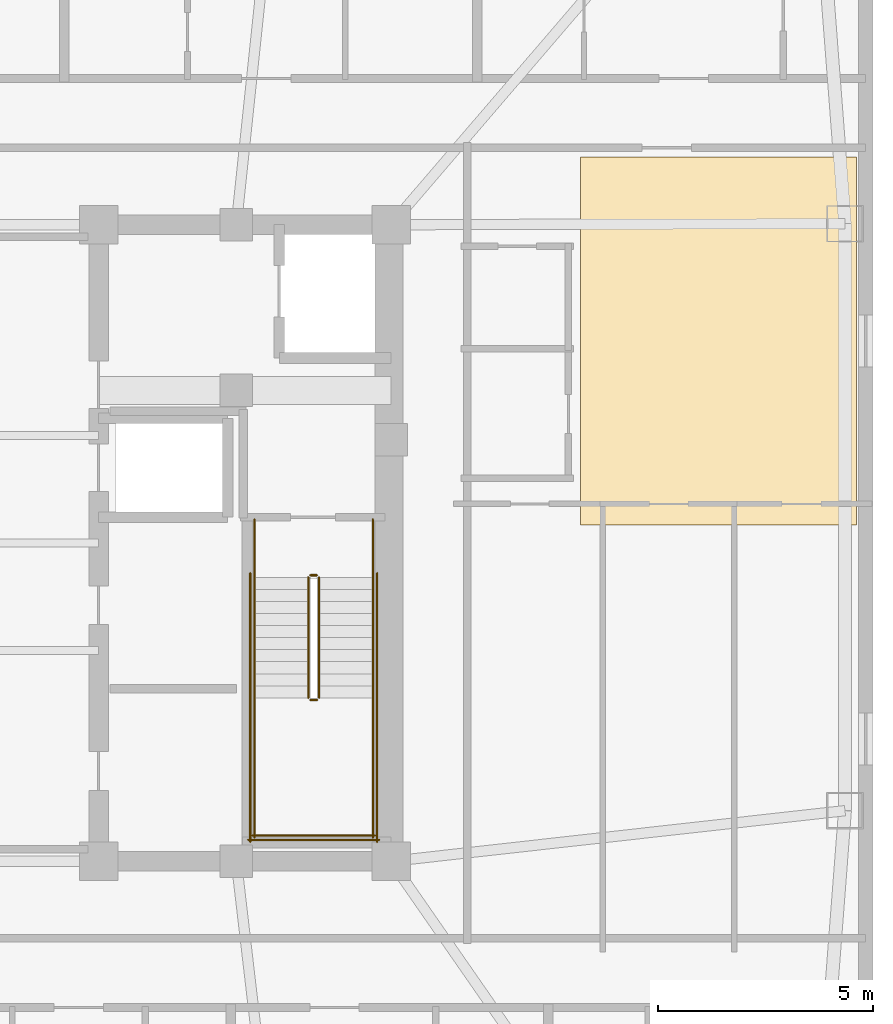
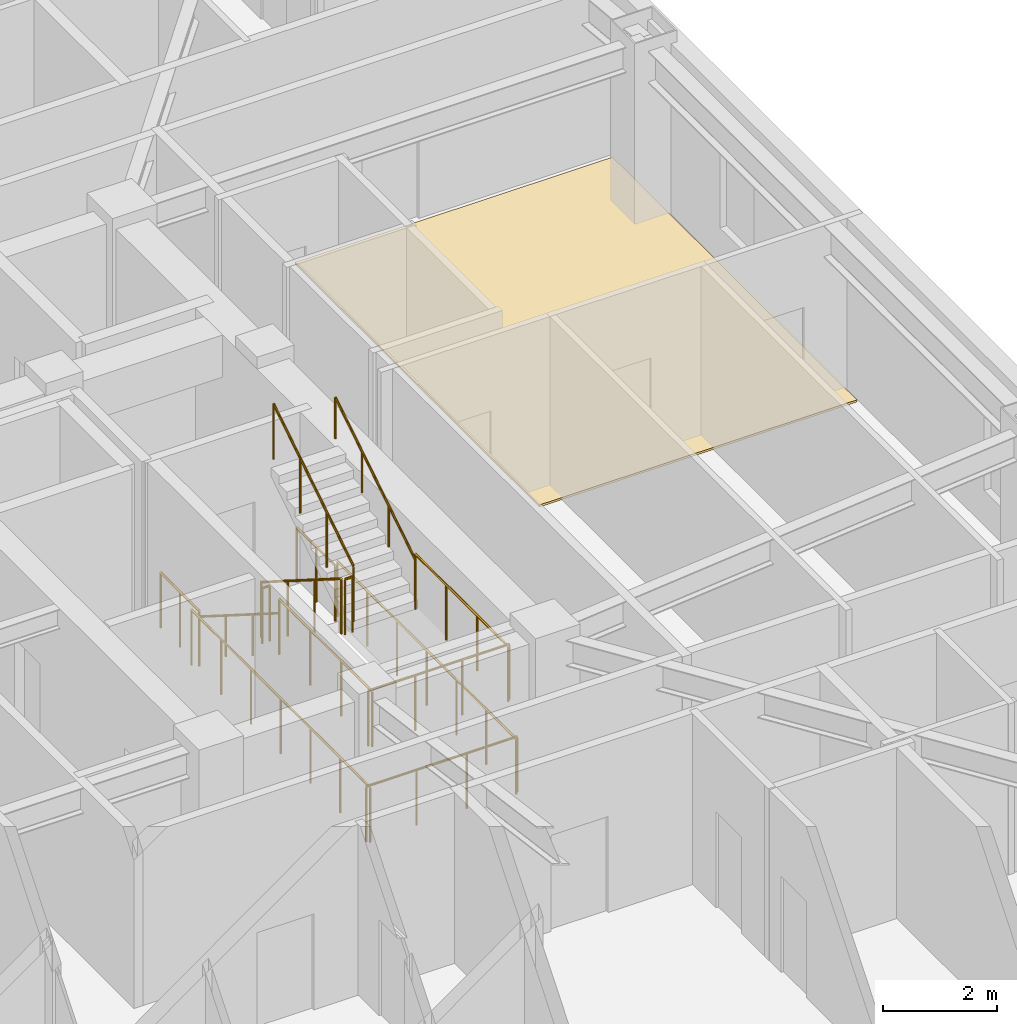
# One storey, part 11 of 11: 14 railings, 1 covering.
"""IFC4 building model written with IfcOpenShell, lengths in metres."""

from ifc_helpers import new_model, si_unit, direction, frame, origin, origin_2d, place, context, subcontext, project, spatial, polyline, circle, outline, extrude, material, layer, layer_set, type_object, element, save


model = new_model("IFC4")

# Units and contexts
model_context = context("Model", 3, precision=1e-05, world=origin(), true_north=direction((0.0, 1.0)))
body_context = subcontext(model_context, "Body", "Model", "MODEL_VIEW")
ifc_project = project(units=[si_unit("LENGTHUNIT", "METRE"), si_unit("AREAUNIT", "SQUARE_METRE"), si_unit("VOLUMEUNIT", "CUBIC_METRE"), si_unit("PLANEANGLEUNIT", "RADIAN"), si_unit("MASSUNIT", "GRAM", prefix="KILO")], contexts=[model_context])

# Site, building, storey
site_placement = place(None, origin())
site = spatial("IfcSite", under=ifc_project, at=site_placement, CompositionType="ELEMENT")
building_placement = place(site_placement, origin())
building = spatial("IfcBuilding", under=site, at=building_placement, Name="Voryun Gate Residences", CompositionType="ELEMENT")
storey_placement = place(building_placement, frame((0.0, 0.0, 219.699951171875)))
storey = spatial("IfcBuildingStorey", under=building, at=storey_placement, Name="L54", CompositionType="ELEMENT", Elevation=219.699951171875)

# Covering
ifc_material_1 = material(Name="Architectural oak flooring")
ifc_layer = layer(ifc_material_1, 0.044921875, Name="COV_FLOOR_ONDOL_OAK")
ifc_layer_set = layer_set([ifc_layer], Name="Architectural oak flooring")
covering_type = type_object("IfcCoveringType", Name="COV_FLOOR_ONDOL_OAK", PredefinedType="FLOORING", material=ifc_layer_set)
covering_placement = place(storey_placement, origin())
element("IfcCovering", 1, at=covering_placement, inside=storey, type_object=covering_type, Name="Ondol oak floor FLR-L54-01", PredefinedType="FLOORING", context=body_context, shape_type="SweptSolid", body=[
    extrude(outline(polyline([(23.60009765625, 0.419921875), (23.60009765625, 8.969970703125), (30.016845703125, 8.969970703125), (30.016845703125, 0.419921875), (23.60009765625, 0.419921875)])), origin(), (0.0, 0.0, 1.0), 0.045166015625),
])

# Railings
ifc_material_2 = material(Name="Painted steel", Category="steel")
railing_type_1 = type_object("IfcRailingType", Name="RAIL_STAIR_GUARD_1200", PredefinedType="GUARDRAIL", material=ifc_material_2)
railing_1_placement = place(storey_placement, frame((17.27490234375, -0.800048828125, 0.17724609375)))
element("IfcRailing", 2, at=railing_1_placement, inside=storey, type_object=railing_type_1, Name="L54 ST-E1 stair guard 1", PredefinedType="GUARDRAIL", context=body_context, shape_type="SweptSolid", body=[
    extrude(circle(Radius=0.02392578125, at=origin_2d()), frame((0.0, 0.0, 1.17578125), z_axis=(0.0, -0.844908973607, 0.534910110503), x_axis=(1.0, 0.0, 0.0)), (0.0, 0.0, 1.0), 3.31396484375),
    extrude(circle(Radius=0.02099609375, at=origin_2d()), origin(), (0.0, 0.0, 1.0), 1.15185546875),
    extrude(circle(Radius=0.02099609375, at=origin_2d()), frame((0.0, -0.933349609375, 0.5908203125)), (0.0, 0.0, 1.0), 1.15185546875),
    extrude(circle(Radius=0.02099609375, at=origin_2d()), frame((0.0, -1.86669921875, 1.181884765625)), (0.0, 0.0, 1.0), 1.15185546875),
    extrude(circle(Radius=0.02099609375, at=origin_2d()), frame((0.0, -2.800048828125, 1.772705078125)), (0.0, 0.0, 1.0), 1.15185546875),
])
railing_2_placement = place(storey_placement, frame((17.324951171875, -3.64990234375, 1.949951171875)))
element("IfcRailing", 3, at=railing_2_placement, inside=storey, type_object=railing_type_1, Name="L54 ST-E1 stair guard 2", PredefinedType="GUARDRAIL", context=body_context, shape_type="SweptSolid", body=[
    extrude(circle(Radius=0.02392578125, at=origin_2d()), frame((0.0, 0.0, 1.17578125), z_axis=(1.0, 0.0, 0.0), x_axis=(0.0, 1.0, 0.0)), (0.0, 0.0, 1.0), 0.150146484375),
    extrude(circle(Radius=0.02099609375, at=origin_2d()), origin(), (0.0, 0.0, 1.0), 1.15185546875),
    extrude(circle(Radius=0.02099609375, at=origin_2d()), frame((0.150146484375, 0.0, 0.0)), (0.0, 0.0, 1.0), 1.15185546875),
])
for number, where, name in (
    (4, (16.02490234375, -3.60009765625, 1.949951171875), "L54 ST-E1 stair guard 3"),
    (5, (18.77490234375, -3.60009765625, 1.949951171875), "L54 ST-E1 stair guard 4"),
):
    element("IfcRailing", number, at=place(storey_placement, frame(where)), inside=storey, type_object=railing_type_1, Name=name, PredefinedType="GUARDRAIL", context=body_context, shape_type="SweptSolid", body=[
        extrude(circle(Radius=0.02392578125, at=origin_2d()), frame((0.0, 0.0, 1.17578125), z_axis=(0.0, -1.0, 0.0), x_axis=(1.0, 0.0, 0.0)), (0.0, 0.0, 1.0), 3.25),
        extrude(circle(Radius=0.02099609375, at=origin_2d()), origin(), (0.0, 0.0, 1.0), 1.15185546875),
        extrude(circle(Radius=0.02099609375, at=origin_2d()), frame((0.0, -1.083251953125, 0.0)), (0.0, 0.0, 1.0), 1.15185546875),
        extrude(circle(Radius=0.02099609375, at=origin_2d()), frame((0.0, -2.166748046875, 0.0)), (0.0, 0.0, 1.0), 1.15185546875),
        extrude(circle(Radius=0.02099609375, at=origin_2d()), frame((0.0, -3.25, 0.0)), (0.0, 0.0, 1.0), 1.15185546875),
    ])
railing_3_placement = place(storey_placement, frame((15.97509765625, -6.800048828125, 1.949951171875)))
element("IfcRailing", 6, at=railing_3_placement, inside=storey, type_object=railing_type_1, Name="L54 ST-E1 stair guard 5", PredefinedType="GUARDRAIL", context=body_context, shape_type="SweptSolid", body=[
    extrude(circle(Radius=0.02392578125, at=origin_2d()), frame((0.0, 0.0, 1.17578125), z_axis=(1.0, 0.0, 0.0), x_axis=(0.0, 1.0, 0.0)), (0.0, 0.0, 1.0), 2.849853515625),
    extrude(circle(Radius=0.02099609375, at=origin_2d()), origin(), (0.0, 0.0, 1.0), 1.15185546875),
    extrude(circle(Radius=0.02099609375, at=origin_2d()), frame((0.949951171875, 0.0, 0.0)), (0.0, 0.0, 1.0), 1.15185546875),
    extrude(circle(Radius=0.02099609375, at=origin_2d()), frame((1.89990234375, 0.0, 0.0)), (0.0, 0.0, 1.0), 1.15185546875),
    extrude(circle(Radius=0.02099609375, at=origin_2d()), frame((2.849853515625, 0.0, 0.0)), (0.0, 0.0, 1.0), 1.15185546875),
])
railing_4_placement = place(storey_placement, frame((17.52490234375, -3.60009765625, 2.12744140625)))
element("IfcRailing", 7, at=railing_4_placement, inside=storey, type_object=railing_type_1, Name="L54 ST-E1 stair guard 6", PredefinedType="GUARDRAIL", context=body_context, shape_type="SweptSolid", body=[
    extrude(circle(Radius=0.02392578125, at=origin_2d()), frame((0.0, 0.0, 1.17578125), z_axis=(0.0, 0.844908973607, 0.534910110503), x_axis=(-1.0, 0.0, 0.0)), (0.0, 0.0, 1.0), 3.31396484375),
    extrude(circle(Radius=0.02099609375, at=origin_2d()), origin(), (0.0, 0.0, 1.0), 1.15185546875),
    extrude(circle(Radius=0.02099609375, at=origin_2d()), frame((0.0, 0.933349609375, 0.5908203125)), (0.0, 0.0, 1.0), 1.15185546875),
    extrude(circle(Radius=0.02099609375, at=origin_2d()), frame((0.0, 1.86669921875, 1.181884765625)), (0.0, 0.0, 1.0), 1.15185546875),
    extrude(circle(Radius=0.02099609375, at=origin_2d()), frame((0.0, 2.800048828125, 1.772705078125)), (0.0, 0.0, 1.0), 1.15185546875),
])
railing_5_placement = place(storey_placement, frame((17.324951171875, -0.75, 0.0)))
element("IfcRailing", 8, at=railing_5_placement, inside=storey, type_object=railing_type_1, Name="L54 ST-E1 stair guard 7", PredefinedType="GUARDRAIL", context=body_context, shape_type="SweptSolid", body=[
    extrude(circle(Radius=0.02392578125, at=origin_2d()), frame((0.0, 0.0, 1.17578125), z_axis=(1.0, 0.0, 0.0), x_axis=(0.0, 1.0, 0.0)), (0.0, 0.0, 1.0), 0.150146484375),
    extrude(circle(Radius=0.02099609375, at=origin_2d()), origin(), (0.0, 0.0, 1.0), 1.15185546875),
    extrude(circle(Radius=0.02099609375, at=origin_2d()), frame((0.150146484375, 0.0, 0.0)), (0.0, 0.0, 1.0), 1.15185546875),
])
for number, where, name in (
    (9, (16.02490234375, 0.550048828125, 0.0), "L54 ST-E1 stair guard 8"),
    (10, (18.77490234375, 0.550048828125, 0.0), "L54 ST-E1 stair guard 9"),
):
    element("IfcRailing", number, at=place(storey_placement, frame(where)), inside=storey, type_object=railing_type_1, Name=name, PredefinedType="GUARDRAIL", context=body_context, shape_type="SweptSolid", body=[
        extrude(circle(Radius=0.02392578125, at=origin_2d()), frame((0.0, 0.0, 1.17578125), z_axis=(0.0, -1.0, 0.0), x_axis=(1.0, 0.0, 0.0)), (0.0, 0.0, 1.0), 1.35009765625),
        extrude(circle(Radius=0.02099609375, at=origin_2d()), origin(), (0.0, 0.0, 1.0), 1.15185546875),
        extrude(circle(Radius=0.02099609375, at=origin_2d()), frame((0.0, -0.675048828125, 0.0)), (0.0, 0.0, 1.0), 1.15185546875),
        extrude(circle(Radius=0.02099609375, at=origin_2d()), frame((0.0, -1.35009765625, 0.0)), (0.0, 0.0, 1.0), 1.15185546875),
    ])
for number, where, name in (
    (11, (15.925048828125, -0.699951171875, 0.0), "L54 ST-E1 stair guard 10"),
    (12, (18.875, -0.699951171875, 0.0), "L54 ST-E1 stair guard 11"),
):
    element("IfcRailing", number, at=place(storey_placement, frame(where)), inside=storey, type_object=railing_type_1, Name=name, PredefinedType="GUARDRAIL", context=body_context, shape_type="SweptSolid", body=[
        extrude(circle(Radius=0.02392578125, at=origin_2d()), frame((0.0, 0.0, 1.17578125), z_axis=(0.0, -1.0, 0.0), x_axis=(1.0, 0.0, 0.0)), (0.0, 0.0, 1.0), 6.25),
        extrude(circle(Radius=0.02099609375, at=origin_2d()), origin(), (0.0, 0.0, 1.0), 1.15185546875),
        extrude(circle(Radius=0.02099609375, at=origin_2d()), frame((0.0, -1.041748046875, 0.0)), (0.0, 0.0, 1.0), 1.15185546875),
        extrude(circle(Radius=0.02099609375, at=origin_2d()), frame((0.0, -2.083251953125, 0.0)), (0.0, 0.0, 1.0), 1.15185546875),
        extrude(circle(Radius=0.02099609375, at=origin_2d()), frame((0.0, -3.125, 0.0)), (0.0, 0.0, 1.0), 1.15185546875),
        extrude(circle(Radius=0.02099609375, at=origin_2d()), frame((0.0, -4.166748046875, 0.0)), (0.0, 0.0, 1.0), 1.15185546875),
        extrude(circle(Radius=0.02099609375, at=origin_2d()), frame((0.0, -5.208251953125, 0.0)), (0.0, 0.0, 1.0), 1.15185546875),
        extrude(circle(Radius=0.02099609375, at=origin_2d()), frame((0.0, -6.25, 0.0)), (0.0, 0.0, 1.0), 1.15185546875),
    ])
railing_6_placement = place(storey_placement, frame((15.875, -6.89990234375, 0.0)))
element("IfcRailing", 13, at=railing_6_placement, inside=storey, type_object=railing_type_1, Name="L54 ST-E1 stair guard 12", PredefinedType="GUARDRAIL", context=body_context, shape_type="SweptSolid", body=[
    extrude(circle(Radius=0.02392578125, at=origin_2d()), frame((0.0, 0.0, 1.17578125), z_axis=(1.0, 0.0, 0.0), x_axis=(0.0, 1.0, 0.0)), (0.0, 0.0, 1.0), 3.050048828125),
    extrude(circle(Radius=0.02099609375, at=origin_2d()), origin(), (0.0, 0.0, 1.0), 1.15185546875),
    extrude(circle(Radius=0.02099609375, at=origin_2d()), frame((1.0166015625, 0.0, 0.0)), (0.0, 0.0, 1.0), 1.15185546875),
    extrude(circle(Radius=0.02099609375, at=origin_2d()), frame((2.033447265625, 0.0, 0.0)), (0.0, 0.0, 1.0), 1.15185546875),
    extrude(circle(Radius=0.02099609375, at=origin_2d()), frame((3.050048828125, 0.0, 0.0)), (0.0, 0.0, 1.0), 1.15185546875),
])
ifc_material_3 = material(Name="Painted steel", Category="steel")
railing_type_2 = type_object("IfcRailingType", Name="RAIL_STAIR_HANDRAIL_900", PredefinedType="HANDRAIL", material=ifc_material_3)
railing_7_placement = place(storey_placement, frame((16.02490234375, -0.800048828125, 0.17724609375)))
element("IfcRailing", 14, at=railing_7_placement, inside=storey, type_object=railing_type_2, Name="L54 ST-E1 stair handrail 1", PredefinedType="HANDRAIL", context=body_context, shape_type="SweptSolid", body=[
    extrude(circle(Radius=0.02392578125, at=origin_2d()), frame((0.0, 0.0, 0.8759765625), z_axis=(0.0, -0.844908973607, 0.534910110503), x_axis=(1.0, 0.0, 0.0)), (0.0, 0.0, 1.0), 3.31396484375),
    extrude(circle(Radius=0.02099609375, at=origin_2d()), origin(), (0.0, 0.0, 1.0), 0.851806640625),
    extrude(circle(Radius=0.02099609375, at=origin_2d()), frame((0.0, -0.933349609375, 0.5908203125)), (0.0, 0.0, 1.0), 0.851806640625),
    extrude(circle(Radius=0.02099609375, at=origin_2d()), frame((0.0, -1.86669921875, 1.181884765625)), (0.0, 0.0, 1.0), 0.851806640625),
    extrude(circle(Radius=0.02099609375, at=origin_2d()), frame((0.0, -2.800048828125, 1.772705078125)), (0.0, 0.0, 1.0), 0.851806640625),
])
railing_8_placement = place(storey_placement, frame((18.77490234375, -3.60009765625, 2.12744140625)))
element("IfcRailing", 15, at=railing_8_placement, inside=storey, type_object=railing_type_2, Name="L54 ST-E1 stair handrail 2", PredefinedType="HANDRAIL", context=body_context, shape_type="SweptSolid", body=[
    extrude(circle(Radius=0.02392578125, at=origin_2d()), frame((0.0, 0.0, 0.8759765625), z_axis=(0.0, 0.844908973607, 0.534910110503), x_axis=(-1.0, 0.0, 0.0)), (0.0, 0.0, 1.0), 3.31396484375),
    extrude(circle(Radius=0.02099609375, at=origin_2d()), origin(), (0.0, 0.0, 1.0), 0.851806640625),
    extrude(circle(Radius=0.02099609375, at=origin_2d()), frame((0.0, 0.933349609375, 0.5908203125)), (0.0, 0.0, 1.0), 0.851806640625),
    extrude(circle(Radius=0.02099609375, at=origin_2d()), frame((0.0, 1.86669921875, 1.181884765625)), (0.0, 0.0, 1.0), 0.851806640625),
    extrude(circle(Radius=0.02099609375, at=origin_2d()), frame((0.0, 2.800048828125, 1.772705078125)), (0.0, 0.0, 1.0), 0.851806640625),
])

save(model, "model.ifc")
